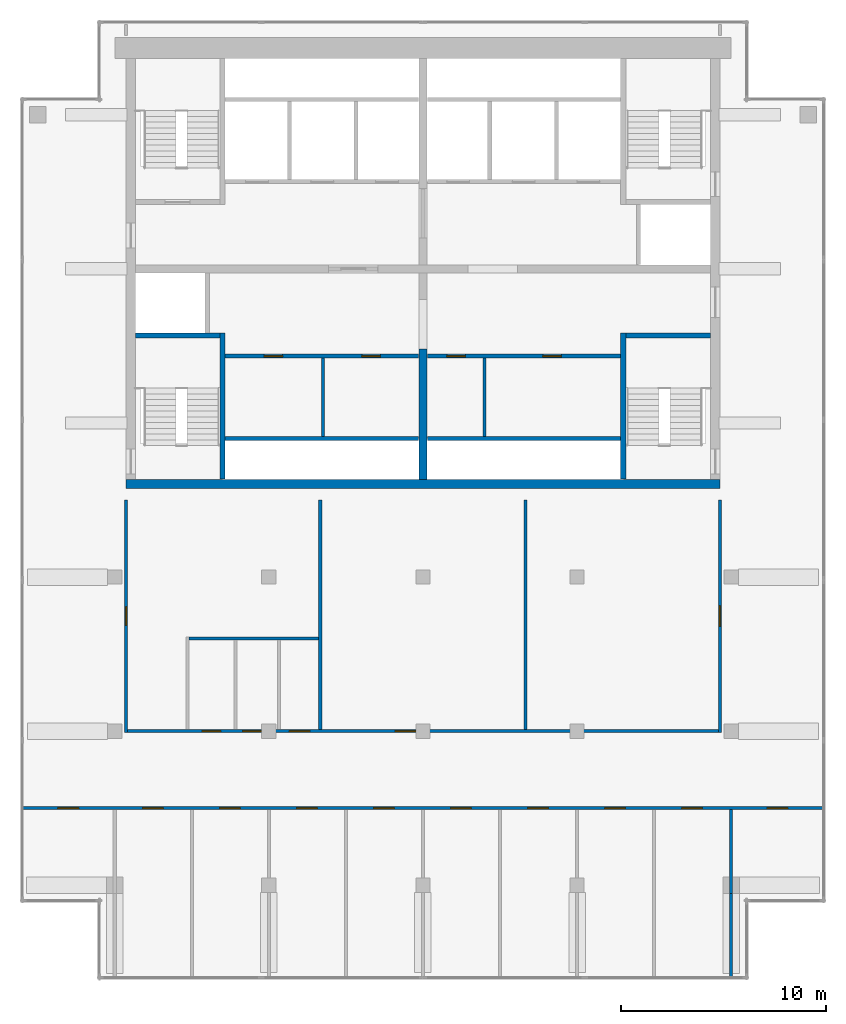
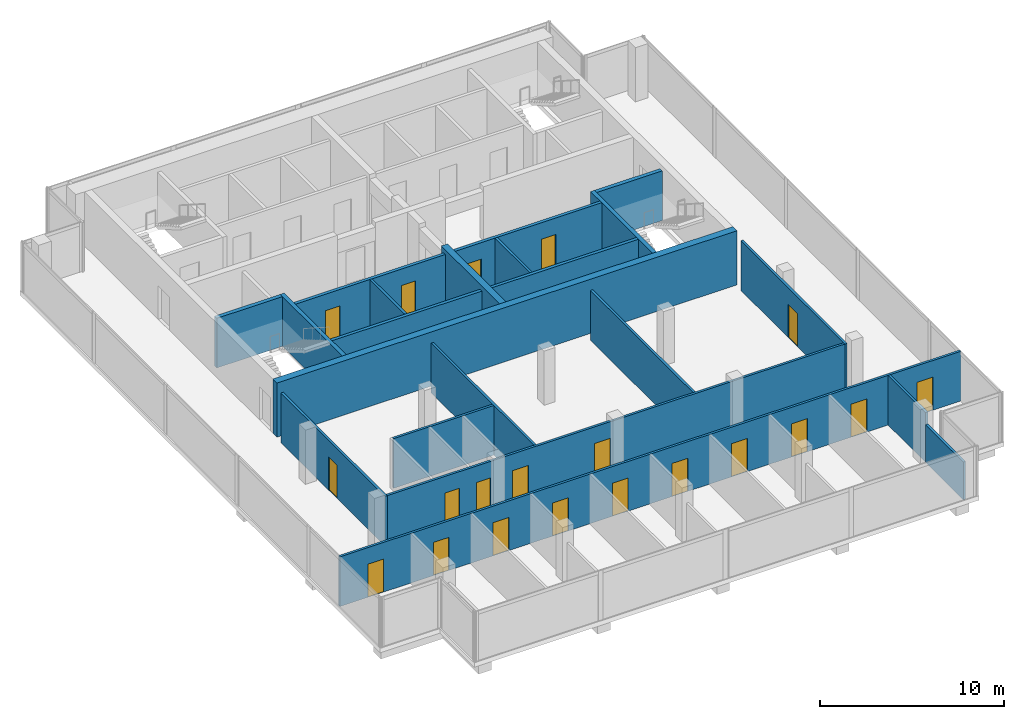
# One storey, part 5 of 8: 21 walls, 20 doors, 20 openings.
"""IFC4 building model written with IfcOpenShell, lengths in metres."""

from ifc_helpers import new_model, si_unit, direction, frame, frame_2d, origin, place, context, subcontext, project, spatial, rectangle, extrude, material, layer, layer_set, type_object, element, fill, save


model = new_model("IFC4")

# Units and contexts
model_context = context("Model", 3, precision=1e-05, world=origin(), true_north=direction((0.0, 1.0)))
body_context = subcontext(model_context, "Body", "Model", "MODEL_VIEW")
ifc_project = project(units=[si_unit("LENGTHUNIT", "METRE"), si_unit("AREAUNIT", "SQUARE_METRE"), si_unit("VOLUMEUNIT", "CUBIC_METRE"), si_unit("PLANEANGLEUNIT", "RADIAN"), si_unit("MASSUNIT", "GRAM", prefix="KILO")], contexts=[model_context])

# Site, building, storey
site_placement = place(None, origin())
site = spatial("IfcSite", under=ifc_project, at=site_placement, CompositionType="ELEMENT")
building_placement = place(site_placement, origin())
building = spatial("IfcBuilding", under=site, at=building_placement, Name="Pilkhan Gate Tower", CompositionType="ELEMENT")
storey_placement = place(building_placement, frame((0.0, 0.0, 269.300048828125)))
storey = spatial("IfcBuildingStorey", under=building, at=storey_placement, Name="L70", CompositionType="ELEMENT", Elevation=269.300048828125)

# Walls
ifc_material_1 = material(Name="Concrete C50/60", Category="concrete")
ifc_layer_1 = layer(ifc_material_1, 0.449951171875)
ifc_layer_set_1 = layer_set([ifc_layer_1], Name="Core wall CW450 C50/60")
wall_type_1 = type_object("IfcWallType", Name="Core wall CW450 C50/60", PredefinedType="SHEAR", material=ifc_layer_set_1)
wall_1_placement = place(storey_placement, frame((60.550048828125, 72.02490234375, 0.0), z_axis=(0.0, 0.0, 1.0), x_axis=(1.0, 0.0, 0.0)))
element("IfcWall", 1, at=wall_1_placement, inside=storey, type_object=wall_type_1, Name="Core wall S L70", PredefinedType="SHEAR", context=body_context, shape_type="SweptSolid", body=[
    extrude(rectangle(XDim=28.89990234375, YDim=0.449951171875, at=frame_2d((14.449951171875, 0.0))), origin(), (0.0, 0.0, 1.0), 3.599853515625),
])
ifc_material_2 = material(Name="Dense blockwork", Category="masonry")
ifc_layer_2 = layer(ifc_material_2, 0.199951171875)
ifc_layer_set_2 = layer_set([ifc_layer_2], Name="Lobby wall LW200")
wall_type_2 = type_object("IfcWallType", Name="Lobby wall LW200", PredefinedType="PARTITIONING", material=ifc_layer_set_2)
for number, where, z_axis, x_axis, name in (
    (2, (65.375, 74.25, 0.0), (0.0, 0.0, 1.0), (1.0, 0.0, 0.0), "Partition L70"),
    (3, (75.2099609375, 74.25, 0.0), (0.0, 0.0, 1.0), (1.0, 0.0, 0.0), "Partition L70"),
):
    element("IfcWall", number, at=place(storey_placement, frame(where, z_axis=z_axis, x_axis=x_axis)), inside=storey, type_object=wall_type_2, Name=name, PredefinedType="PARTITIONING", context=body_context, shape_type="SweptSolid", body=[
        extrude(rectangle(XDim=9.4150390625, YDim=0.199951171875, at=frame_2d((4.70751953125, 0.0))), origin(), (0.0, 0.0, 1.0), 3.300048828125),
    ])

# Wall, openings, doors
wall_2_placement = place(storey_placement, frame((65.375, 78.25, 0.0), z_axis=(0.0, 0.0, 1.0), x_axis=(1.0, 0.0, 0.0)))
wall_2 = element("IfcWall", 4, at=wall_2_placement, inside=storey, type_object=wall_type_2, Name="Partition L70", PredefinedType="PARTITIONING", context=body_context, shape_type="SweptSolid", body=[
    extrude(rectangle(XDim=9.4150390625, YDim=0.199951171875, at=frame_2d((4.70751953125, 0.0))), origin(), (0.0, 0.0, 1.0), 3.300048828125),
])
opening_1_placement = place(wall_2_placement, frame((1.89990234375, 0.0, 0.0)))
opening_1 = element("IfcOpeningElement", 5, at=opening_1_placement, cuts=wall_2, Name="Opening L70-08", PredefinedType="OPENING", context=body_context, shape_type="SweptSolid", body=[
    extrude(rectangle(XDim=0.89990234375, YDim=2.199951171875, at=frame_2d((0.449951171875, 1.10009765625))), frame((0.0, 0.10986328125, 0.0), z_axis=(0.0, -1.0, 0.0), x_axis=(1.0, 0.0, 0.0)), (0.0, 0.0, 1.0), 0.219970703125),
])
opening_2_placement = place(wall_2_placement, frame((6.64990234375, 0.0, 0.0)))
opening_2 = element("IfcOpeningElement", 6, at=opening_2_placement, cuts=wall_2, Name="Opening L70-09", PredefinedType="OPENING", context=body_context, shape_type="SweptSolid", body=[
    extrude(rectangle(XDim=0.89990234375, YDim=2.199951171875, at=frame_2d((0.449951171875, 1.10009765625))), frame((0.0, 0.10986328125, 0.0), z_axis=(0.0, -1.0, 0.0), x_axis=(1.0, 0.0, 0.0)), (0.0, 0.0, 1.0), 0.219970703125),
])
ifc_material_3 = material(Name="Timber flush door, 60 minute fire resisting, self-closing", Category="wood")
door_type_1 = type_object("IfcDoorType", Name="Store door D05 900x2200", OperationType="SINGLE_SWING_LEFT", PredefinedType="DOOR", material=ifc_material_3)
door_1_placement = place(opening_1_placement, origin())
door_1 = element("IfcDoor", 7, at=door_1_placement, inside=storey, type_object=door_type_1, Name="Store door", OperationType="SINGLE_SWING_LEFT", OverallHeight=2.199951171875, OverallWidth=0.89990234375, PredefinedType="DOOR", context=body_context, shape_type="SweptSolid", body=[
    extrude(rectangle(XDim=0.89990234375, YDim=2.199951171875, at=frame_2d((0.449951171875, 1.10009765625))), frame((0.0, 0.02490234375, 0.0), z_axis=(0.0, -1.0, 0.0), x_axis=(1.0, 0.0, 0.0)), (0.0, 0.0, 1.0), 0.050048828125),
])
fill(opening_1, door_1)
door_2_placement = place(opening_2_placement, origin())
door_2 = element("IfcDoor", 8, at=door_2_placement, inside=storey, type_object=door_type_1, Name="Store door", OperationType="SINGLE_SWING_LEFT", OverallHeight=2.199951171875, OverallWidth=0.89990234375, PredefinedType="DOOR", context=body_context, shape_type="SweptSolid", body=[
    extrude(rectangle(XDim=0.89990234375, YDim=2.199951171875, at=frame_2d((0.449951171875, 1.10009765625))), frame((0.0, 0.02490234375, 0.0), z_axis=(0.0, -1.0, 0.0), x_axis=(1.0, 0.0, 0.0)), (0.0, 0.0, 1.0), 0.050048828125),
])
fill(opening_2, door_2)

wall_3_placement = place(storey_placement, frame((75.2099609375, 78.25, 0.0), z_axis=(0.0, 0.0, 1.0), x_axis=(1.0, 0.0, 0.0)))
wall_3 = element("IfcWall", 9, at=wall_3_placement, inside=storey, type_object=wall_type_2, Name="Partition L70", PredefinedType="PARTITIONING", context=body_context, shape_type="SweptSolid", body=[
    extrude(rectangle(XDim=9.4150390625, YDim=0.199951171875, at=frame_2d((4.70751953125, 0.0))), origin(), (0.0, 0.0, 1.0), 3.300048828125),
])
opening_3_placement = place(wall_3_placement, frame((0.949951171875, 0.0, 0.0)))
opening_3 = element("IfcOpeningElement", 10, at=opening_3_placement, cuts=wall_3, Name="Opening L70-10", PredefinedType="OPENING", context=body_context, shape_type="SweptSolid", body=[
    extrude(rectangle(XDim=0.89990234375, YDim=2.199951171875, at=frame_2d((0.449951171875, 1.10009765625))), frame((0.0, 0.10986328125, 0.0), z_axis=(0.0, -1.0, 0.0), x_axis=(1.0, 0.0, 0.0)), (0.0, 0.0, 1.0), 0.219970703125),
])
opening_4_placement = place(wall_3_placement, frame((5.6298828125, 0.0, 0.0)))
opening_4 = element("IfcOpeningElement", 11, at=opening_4_placement, cuts=wall_3, Name="Opening L70-11", PredefinedType="OPENING", context=body_context, shape_type="SweptSolid", body=[
    extrude(rectangle(XDim=0.89990234375, YDim=2.199951171875, at=frame_2d((0.449951171875, 1.10009765625))), frame((0.0, 0.10986328125, 0.0), z_axis=(0.0, -1.0, 0.0), x_axis=(1.0, 0.0, 0.0)), (0.0, 0.0, 1.0), 0.219970703125),
])
door_3_placement = place(opening_3_placement, origin())
door_3 = element("IfcDoor", 12, at=door_3_placement, inside=storey, type_object=door_type_1, Name="Store door", OperationType="SINGLE_SWING_LEFT", OverallHeight=2.199951171875, OverallWidth=0.89990234375, PredefinedType="DOOR", context=body_context, shape_type="SweptSolid", body=[
    extrude(rectangle(XDim=0.89990234375, YDim=2.199951171875, at=frame_2d((0.449951171875, 1.10009765625))), frame((0.0, 0.02490234375, 0.0), z_axis=(0.0, -1.0, 0.0), x_axis=(1.0, 0.0, 0.0)), (0.0, 0.0, 1.0), 0.050048828125),
])
fill(opening_3, door_3)
door_4_placement = place(opening_4_placement, origin())
door_4 = element("IfcDoor", 13, at=door_4_placement, inside=storey, type_object=door_type_1, Name="Store door", OperationType="SINGLE_SWING_LEFT", OverallHeight=2.199951171875, OverallWidth=0.89990234375, PredefinedType="DOOR", context=body_context, shape_type="SweptSolid", body=[
    extrude(rectangle(XDim=0.89990234375, YDim=2.199951171875, at=frame_2d((0.449951171875, 1.10009765625))), frame((0.0, 0.02490234375, 0.0), z_axis=(0.0, -1.0, 0.0), x_axis=(1.0, 0.0, 0.0)), (0.0, 0.0, 1.0), 0.050048828125),
])
fill(opening_4, door_4)

ifc_material_4 = material(Name="Blockwork partition, plastered both sides", Category="masonry")
ifc_layer_3 = layer(ifc_material_4, 0.14990234375)
ifc_layer_set_3 = layer_set([ifc_layer_3], Name="Partition PW150")
wall_type_3 = type_object("IfcWallType", Name="Partition PW150", PredefinedType="PARTITIONING", material=ifc_layer_set_3)
wall_4_placement = place(storey_placement, frame((55.485107421875, 56.25, 0.0), z_axis=(0.0, 0.0, 1.0), x_axis=(1.0, 0.0, 0.0)))
wall_4 = element("IfcWall", 14, at=wall_4_placement, inside=storey, type_object=wall_type_3, Name="Partition L70", PredefinedType="PARTITIONING", context=body_context, shape_type="SweptSolid", body=[
    extrude(rectangle(XDim=39.02978515625, YDim=0.14990234375, at=frame_2d((19.514892578125, 0.0))), origin(), (0.0, 0.0, 1.0), 3.300048828125),
])
opening_5_placement = place(wall_4_placement, frame((1.75, 0.0, 0.0)))
opening_5 = element("IfcOpeningElement", 15, at=opening_5_placement, cuts=wall_4, Name="Opening L70-18", PredefinedType="OPENING", context=body_context, shape_type="SweptSolid", body=[
    extrude(rectangle(XDim=1.0, YDim=2.199951171875, at=frame_2d((0.5, 1.10009765625))), frame((0.0, 0.0849609375, 0.0), z_axis=(0.0, -1.0, 0.0), x_axis=(1.0, 0.0, 0.0)), (0.0, 0.0, 1.0), 0.169921875),
])
opening_6_placement = place(wall_4_placement, frame((5.864990234375, 0.0, 0.0)))
opening_6 = element("IfcOpeningElement", 16, at=opening_6_placement, cuts=wall_4, Name="Opening L70-19", PredefinedType="OPENING", context=body_context, shape_type="SweptSolid", body=[
    extrude(rectangle(XDim=1.0, YDim=2.199951171875, at=frame_2d((0.5, 1.10009765625))), frame((0.0, 0.0849609375, 0.0), z_axis=(0.0, -1.0, 0.0), x_axis=(1.0, 0.0, 0.0)), (0.0, 0.0, 1.0), 0.169921875),
])
opening_7_placement = place(wall_4_placement, frame((9.614990234375, 0.0, 0.0)))
opening_7 = element("IfcOpeningElement", 17, at=opening_7_placement, cuts=wall_4, Name="Opening L70-20", PredefinedType="OPENING", context=body_context, shape_type="SweptSolid", body=[
    extrude(rectangle(XDim=1.0, YDim=2.199951171875, at=frame_2d((0.5, 1.10009765625))), frame((0.0, 0.0849609375, 0.0), z_axis=(0.0, -1.0, 0.0), x_axis=(1.0, 0.0, 0.0)), (0.0, 0.0, 1.0), 0.169921875),
])
opening_8_placement = place(wall_4_placement, frame((13.364990234375, 0.0, 0.0)))
opening_8 = element("IfcOpeningElement", 18, at=opening_8_placement, cuts=wall_4, Name="Opening L70-21", PredefinedType="OPENING", context=body_context, shape_type="SweptSolid", body=[
    extrude(rectangle(XDim=1.0, YDim=2.199951171875, at=frame_2d((0.5, 1.10009765625))), frame((0.0, 0.0849609375, 0.0), z_axis=(0.0, -1.0, 0.0), x_axis=(1.0, 0.0, 0.0)), (0.0, 0.0, 1.0), 0.169921875),
])
opening_9_placement = place(wall_4_placement, frame((17.114990234375, 0.0, 0.0)))
opening_9 = element("IfcOpeningElement", 19, at=opening_9_placement, cuts=wall_4, Name="Opening L70-22", PredefinedType="OPENING", context=body_context, shape_type="SweptSolid", body=[
    extrude(rectangle(XDim=1.0, YDim=2.199951171875, at=frame_2d((0.5, 1.10009765625))), frame((0.0, 0.0849609375, 0.0), z_axis=(0.0, -1.0, 0.0), x_axis=(1.0, 0.0, 0.0)), (0.0, 0.0, 1.0), 0.169921875),
])
opening_10_placement = place(wall_4_placement, frame((20.864990234375, 0.0, 0.0)))
opening_10 = element("IfcOpeningElement", 20, at=opening_10_placement, cuts=wall_4, Name="Opening L70-23", PredefinedType="OPENING", context=body_context, shape_type="SweptSolid", body=[
    extrude(rectangle(XDim=1.0, YDim=2.199951171875, at=frame_2d((0.5, 1.10009765625))), frame((0.0, 0.0849609375, 0.0), z_axis=(0.0, -1.0, 0.0), x_axis=(1.0, 0.0, 0.0)), (0.0, 0.0, 1.0), 0.169921875),
])
opening_11_placement = place(wall_4_placement, frame((24.614990234375, 0.0, 0.0)))
opening_11 = element("IfcOpeningElement", 21, at=opening_11_placement, cuts=wall_4, Name="Opening L70-24", PredefinedType="OPENING", context=body_context, shape_type="SweptSolid", body=[
    extrude(rectangle(XDim=1.0, YDim=2.199951171875, at=frame_2d((0.5, 1.10009765625))), frame((0.0, 0.0849609375, 0.0), z_axis=(0.0, -1.0, 0.0), x_axis=(1.0, 0.0, 0.0)), (0.0, 0.0, 1.0), 0.169921875),
])
opening_12_placement = place(wall_4_placement, frame((28.364990234375, 0.0, 0.0)))
opening_12 = element("IfcOpeningElement", 22, at=opening_12_placement, cuts=wall_4, Name="Opening L70-25", PredefinedType="OPENING", context=body_context, shape_type="SweptSolid", body=[
    extrude(rectangle(XDim=1.0, YDim=2.199951171875, at=frame_2d((0.5, 1.10009765625))), frame((0.0, 0.0849609375, 0.0), z_axis=(0.0, -1.0, 0.0), x_axis=(1.0, 0.0, 0.0)), (0.0, 0.0, 1.0), 0.169921875),
])
opening_13_placement = place(wall_4_placement, frame((32.114990234375, 0.0, 0.0)))
opening_13 = element("IfcOpeningElement", 23, at=opening_13_placement, cuts=wall_4, Name="Opening L70-26", PredefinedType="OPENING", context=body_context, shape_type="SweptSolid", body=[
    extrude(rectangle(XDim=1.0, YDim=2.199951171875, at=frame_2d((0.5, 1.10009765625))), frame((0.0, 0.0849609375, 0.0), z_axis=(0.0, -1.0, 0.0), x_axis=(1.0, 0.0, 0.0)), (0.0, 0.0, 1.0), 0.169921875),
])
opening_14_placement = place(wall_4_placement, frame((36.264892578125, 0.0, 0.0)))
opening_14 = element("IfcOpeningElement", 24, at=opening_14_placement, cuts=wall_4, Name="Opening L70-27", PredefinedType="OPENING", context=body_context, shape_type="SweptSolid", body=[
    extrude(rectangle(XDim=1.0, YDim=2.199951171875, at=frame_2d((0.5, 1.10009765625))), frame((0.0, 0.0849609375, 0.0), z_axis=(0.0, -1.0, 0.0), x_axis=(1.0, 0.0, 0.0)), (0.0, 0.0, 1.0), 0.169921875),
])
ifc_material_5 = material(Name="Timber flush door, 30 minute fire resisting", Category="wood")
door_type_2 = type_object("IfcDoorType", Name="Room door D03 1000x2200", OperationType="SINGLE_SWING_LEFT", PredefinedType="DOOR", material=ifc_material_5)
door_5_placement = place(opening_5_placement, origin())
door_5 = element("IfcDoor", 25, at=door_5_placement, inside=storey, type_object=door_type_2, Name="Room door", OperationType="SINGLE_SWING_LEFT", OverallHeight=2.199951171875, OverallWidth=1.0, PredefinedType="DOOR", context=body_context, shape_type="SweptSolid", body=[
    extrude(rectangle(XDim=1.0, YDim=2.199951171875, at=frame_2d((0.5, 1.10009765625))), frame((0.0, 0.02490234375, 0.0), z_axis=(0.0, -1.0, 0.0), x_axis=(1.0, 0.0, 0.0)), (0.0, 0.0, 1.0), 0.050048828125),
])
fill(opening_5, door_5)
door_6_placement = place(opening_6_placement, origin())
door_6 = element("IfcDoor", 26, at=door_6_placement, inside=storey, type_object=door_type_2, Name="Room door", OperationType="SINGLE_SWING_LEFT", OverallHeight=2.199951171875, OverallWidth=1.0, PredefinedType="DOOR", context=body_context, shape_type="SweptSolid", body=[
    extrude(rectangle(XDim=1.0, YDim=2.199951171875, at=frame_2d((0.5, 1.10009765625))), frame((0.0, 0.02490234375, 0.0), z_axis=(0.0, -1.0, 0.0), x_axis=(1.0, 0.0, 0.0)), (0.0, 0.0, 1.0), 0.050048828125),
])
fill(opening_6, door_6)
door_7_placement = place(opening_7_placement, origin())
door_7 = element("IfcDoor", 27, at=door_7_placement, inside=storey, type_object=door_type_2, Name="Room door", OperationType="SINGLE_SWING_RIGHT", OverallHeight=2.199951171875, OverallWidth=1.0, PredefinedType="DOOR", context=body_context, shape_type="SweptSolid", body=[
    extrude(rectangle(XDim=1.0, YDim=2.199951171875, at=frame_2d((0.5, 1.10009765625))), frame((0.0, 0.02490234375, 0.0), z_axis=(0.0, -1.0, 0.0), x_axis=(1.0, 0.0, 0.0)), (0.0, 0.0, 1.0), 0.050048828125),
])
fill(opening_7, door_7)
door_8_placement = place(opening_8_placement, origin())
door_8 = element("IfcDoor", 28, at=door_8_placement, inside=storey, type_object=door_type_2, Name="Room door", OperationType="SINGLE_SWING_LEFT", OverallHeight=2.199951171875, OverallWidth=1.0, PredefinedType="DOOR", context=body_context, shape_type="SweptSolid", body=[
    extrude(rectangle(XDim=1.0, YDim=2.199951171875, at=frame_2d((0.5, 1.10009765625))), frame((0.0, 0.02490234375, 0.0), z_axis=(0.0, -1.0, 0.0), x_axis=(1.0, 0.0, 0.0)), (0.0, 0.0, 1.0), 0.050048828125),
])
fill(opening_8, door_8)
door_9_placement = place(opening_9_placement, origin())
door_9 = element("IfcDoor", 29, at=door_9_placement, inside=storey, type_object=door_type_2, Name="Room door", OperationType="SINGLE_SWING_RIGHT", OverallHeight=2.199951171875, OverallWidth=1.0, PredefinedType="DOOR", context=body_context, shape_type="SweptSolid", body=[
    extrude(rectangle(XDim=1.0, YDim=2.199951171875, at=frame_2d((0.5, 1.10009765625))), frame((0.0, 0.02490234375, 0.0), z_axis=(0.0, -1.0, 0.0), x_axis=(1.0, 0.0, 0.0)), (0.0, 0.0, 1.0), 0.050048828125),
])
fill(opening_9, door_9)
door_10_placement = place(opening_10_placement, origin())
door_10 = element("IfcDoor", 30, at=door_10_placement, inside=storey, type_object=door_type_2, Name="Room door", OperationType="SINGLE_SWING_RIGHT", OverallHeight=2.199951171875, OverallWidth=1.0, PredefinedType="DOOR", context=body_context, shape_type="SweptSolid", body=[
    extrude(rectangle(XDim=1.0, YDim=2.199951171875, at=frame_2d((0.5, 1.10009765625))), frame((0.0, 0.02490234375, 0.0), z_axis=(0.0, -1.0, 0.0), x_axis=(1.0, 0.0, 0.0)), (0.0, 0.0, 1.0), 0.050048828125),
])
fill(opening_10, door_10)
door_11_placement = place(opening_11_placement, origin())
door_11 = element("IfcDoor", 31, at=door_11_placement, inside=storey, type_object=door_type_2, Name="Room door", OperationType="SINGLE_SWING_LEFT", OverallHeight=2.199951171875, OverallWidth=1.0, PredefinedType="DOOR", context=body_context, shape_type="SweptSolid", body=[
    extrude(rectangle(XDim=1.0, YDim=2.199951171875, at=frame_2d((0.5, 1.10009765625))), frame((0.0, 0.02490234375, 0.0), z_axis=(0.0, -1.0, 0.0), x_axis=(1.0, 0.0, 0.0)), (0.0, 0.0, 1.0), 0.050048828125),
])
fill(opening_11, door_11)
door_12_placement = place(opening_12_placement, origin())
door_12 = element("IfcDoor", 32, at=door_12_placement, inside=storey, type_object=door_type_2, Name="Room door", OperationType="SINGLE_SWING_LEFT", OverallHeight=2.199951171875, OverallWidth=1.0, PredefinedType="DOOR", context=body_context, shape_type="SweptSolid", body=[
    extrude(rectangle(XDim=1.0, YDim=2.199951171875, at=frame_2d((0.5, 1.10009765625))), frame((0.0, 0.02490234375, 0.0), z_axis=(0.0, -1.0, 0.0), x_axis=(1.0, 0.0, 0.0)), (0.0, 0.0, 1.0), 0.050048828125),
])
fill(opening_12, door_12)
door_13_placement = place(opening_13_placement, origin())
door_13 = element("IfcDoor", 33, at=door_13_placement, inside=storey, type_object=door_type_2, Name="Room door", OperationType="SINGLE_SWING_RIGHT", OverallHeight=2.199951171875, OverallWidth=1.0, PredefinedType="DOOR", context=body_context, shape_type="SweptSolid", body=[
    extrude(rectangle(XDim=1.0, YDim=2.199951171875, at=frame_2d((0.5, 1.10009765625))), frame((0.0, 0.02490234375, 0.0), z_axis=(0.0, -1.0, 0.0), x_axis=(1.0, 0.0, 0.0)), (0.0, 0.0, 1.0), 0.050048828125),
])
fill(opening_13, door_13)
door_14_placement = place(opening_14_placement, origin())
door_14 = element("IfcDoor", 34, at=door_14_placement, inside=storey, type_object=door_type_2, Name="Room door", OperationType="SINGLE_SWING_RIGHT", OverallHeight=2.199951171875, OverallWidth=1.0, PredefinedType="DOOR", context=body_context, shape_type="SweptSolid", body=[
    extrude(rectangle(XDim=1.0, YDim=2.199951171875, at=frame_2d((0.5, 1.10009765625))), frame((0.0, 0.02490234375, 0.0), z_axis=(0.0, -1.0, 0.0), x_axis=(1.0, 0.0, 0.0)), (0.0, 0.0, 1.0), 0.050048828125),
])
fill(opening_14, door_14)

wall_5_placement = place(storey_placement, frame((60.625, 60.0, 0.0), z_axis=(0.0, 0.0, 1.0), x_axis=(1.0, 0.0, 0.0)))
wall_5 = element("IfcWall", 35, at=wall_5_placement, inside=storey, type_object=wall_type_3, Name="Partition L70", PredefinedType="PARTITIONING", context=body_context, shape_type="SweptSolid", body=[
    extrude(rectangle(XDim=28.75, YDim=0.14990234375, at=frame_2d((14.375, 0.0))), origin(), (0.0, 0.0, 1.0), 3.300048828125),
])
opening_15_placement = place(wall_5_placement, frame((3.625, 0.0, 0.0)))
opening_15 = element("IfcOpeningElement", 36, at=opening_15_placement, cuts=wall_5, Name="Opening L70-12", PredefinedType="OPENING", context=body_context, shape_type="SweptSolid", body=[
    extrude(rectangle(XDim=0.89990234375, YDim=2.199951171875, at=frame_2d((0.449951171875, 1.10009765625))), frame((0.0, 0.0849609375, 0.0), z_axis=(0.0, -1.0, 0.0), x_axis=(1.0, 0.0, 0.0)), (0.0, 0.0, 1.0), 0.169921875),
])
opening_16_placement = place(wall_5_placement, frame((5.596923828125, 0.0, 0.0)))
opening_16 = element("IfcOpeningElement", 37, at=opening_16_placement, cuts=wall_5, Name="Opening L70-13", PredefinedType="OPENING", context=body_context, shape_type="SweptSolid", body=[
    extrude(rectangle(XDim=0.89990234375, YDim=2.199951171875, at=frame_2d((0.449951171875, 1.10009765625))), frame((0.0, 0.0849609375, 0.0), z_axis=(0.0, -1.0, 0.0), x_axis=(1.0, 0.0, 0.0)), (0.0, 0.0, 1.0), 0.169921875),
])
opening_17_placement = place(wall_5_placement, frame((7.875, 0.0, 0.0)))
opening_17 = element("IfcOpeningElement", 38, at=opening_17_placement, cuts=wall_5, Name="Opening L70-14", PredefinedType="OPENING", context=body_context, shape_type="SweptSolid", body=[
    extrude(rectangle(XDim=1.0, YDim=2.199951171875, at=frame_2d((0.5, 1.10009765625))), frame((0.0, 0.0849609375, 0.0), z_axis=(0.0, -1.0, 0.0), x_axis=(1.0, 0.0, 0.0)), (0.0, 0.0, 1.0), 0.169921875),
])
opening_18_placement = place(wall_5_placement, frame((13.02490234375, 0.0, 0.0)))
opening_18 = element("IfcOpeningElement", 39, at=opening_18_placement, cuts=wall_5, Name="Opening L70-16", PredefinedType="OPENING", context=body_context, shape_type="SweptSolid", body=[
    extrude(rectangle(XDim=1.0, YDim=2.199951171875, at=frame_2d((0.5, 1.10009765625))), frame((0.0, 0.0849609375, 0.0), z_axis=(0.0, -1.0, 0.0), x_axis=(1.0, 0.0, 0.0)), (0.0, 0.0, 1.0), 0.169921875),
])
ifc_material_6 = material(Name="Timber flush door, outward opening, 30 minute fire resisting", Category="wood")
door_type_3 = type_object("IfcDoorType", Name="Accessible toilet door D07 1000x2200", OperationType="SINGLE_SWING_LEFT", PredefinedType="DOOR", material=ifc_material_6)
door_15_placement = place(opening_17_placement, origin())
door_15 = element("IfcDoor", 40, at=door_15_placement, inside=storey, type_object=door_type_3, Name="Accessible toilet door", OperationType="SINGLE_SWING_LEFT", OverallHeight=2.199951171875, OverallWidth=1.0, PredefinedType="DOOR", context=body_context, shape_type="SweptSolid", body=[
    extrude(rectangle(XDim=1.0, YDim=2.199951171875, at=frame_2d((0.5, 1.10009765625))), frame((0.0, 0.02490234375, 0.0), z_axis=(0.0, -1.0, 0.0), x_axis=(1.0, 0.0, 0.0)), (0.0, 0.0, 1.0), 0.050048828125),
])
fill(opening_17, door_15)
door_16_placement = place(opening_18_placement, origin())
door_16 = element("IfcDoor", 41, at=door_16_placement, inside=storey, type_object=door_type_2, Name="Room door", OperationType="SINGLE_SWING_RIGHT", OverallHeight=2.199951171875, OverallWidth=1.0, PredefinedType="DOOR", context=body_context, shape_type="SweptSolid", body=[
    extrude(rectangle(XDim=1.0, YDim=2.199951171875, at=frame_2d((0.5, 1.10009765625))), frame((0.0, 0.02490234375, 0.0), z_axis=(0.0, -1.0, 0.0), x_axis=(1.0, 0.0, 0.0)), (0.0, 0.0, 1.0), 0.050048828125),
])
fill(opening_18, door_16)
door_type_4 = type_object("IfcDoorType", Name="Toilet door D06 900x2200", OperationType="SINGLE_SWING_LEFT", PredefinedType="DOOR", material=ifc_material_5)
door_17_placement = place(opening_15_placement, origin())
door_17 = element("IfcDoor", 42, at=door_17_placement, inside=storey, type_object=door_type_4, Name="Toilet door", OperationType="SINGLE_SWING_RIGHT", OverallHeight=2.199951171875, OverallWidth=0.89990234375, PredefinedType="DOOR", context=body_context, shape_type="SweptSolid", body=[
    extrude(rectangle(XDim=0.89990234375, YDim=2.199951171875, at=frame_2d((0.449951171875, 1.10009765625))), frame((0.0, 0.02490234375, 0.0), z_axis=(0.0, -1.0, 0.0), x_axis=(1.0, 0.0, 0.0)), (0.0, 0.0, 1.0), 0.050048828125),
])
fill(opening_15, door_17)
door_18_placement = place(opening_16_placement, origin())
door_18 = element("IfcDoor", 43, at=door_18_placement, inside=storey, type_object=door_type_4, Name="Toilet door", OperationType="SINGLE_SWING_LEFT", OverallHeight=2.199951171875, OverallWidth=0.89990234375, PredefinedType="DOOR", context=body_context, shape_type="SweptSolid", body=[
    extrude(rectangle(XDim=0.89990234375, YDim=2.199951171875, at=frame_2d((0.449951171875, 1.10009765625))), frame((0.0, 0.02490234375, 0.0), z_axis=(0.0, -1.0, 0.0), x_axis=(1.0, 0.0, 0.0)), (0.0, 0.0, 1.0), 0.050048828125),
])
fill(opening_16, door_18)

# Wall
wall_6_placement = place(storey_placement, frame((63.625, 64.5, 0.0), z_axis=(0.0, 0.0, 1.0), x_axis=(1.0, 0.0, 0.0)))
element("IfcWall", 44, at=wall_6_placement, inside=storey, type_object=wall_type_3, Name="Partition L70", PredefinedType="PARTITIONING", context=body_context, shape_type="SweptSolid", body=[
    extrude(rectangle(XDim=6.300048828125, YDim=0.14990234375, at=frame_2d((3.14990234375, 0.0))), origin(), (0.0, 0.0, 1.0), 3.300048828125),
])

# Wall, opening, door
wall_7_placement = place(storey_placement, frame((60.550048828125, 59.925048828125, 0.0), z_axis=(0.0, 0.0, 1.0), x_axis=(0.0, 1.0, 0.0)))
wall_7 = element("IfcWall", 45, at=wall_7_placement, inside=storey, type_object=wall_type_3, Name="Partition L70", PredefinedType="PARTITIONING", context=body_context, shape_type="SweptSolid", body=[
    extrude(rectangle(XDim=11.324951171875, YDim=0.14990234375, at=frame_2d((5.66259765625, 0.0))), origin(), (0.0, 0.0, 1.0), 3.300048828125),
])
opening_19_placement = place(wall_7_placement, frame((5.22509765625, 0.0, 0.0)))
opening_19 = element("IfcOpeningElement", 46, at=opening_19_placement, cuts=wall_7, Name="Opening L70-15", PredefinedType="OPENING", context=body_context, shape_type="SweptSolid", body=[
    extrude(rectangle(XDim=0.89990234375, YDim=2.199951171875, at=frame_2d((0.449951171875, 1.10009765625))), frame((0.0, 0.0849609375, 0.0), z_axis=(0.0, -1.0, 0.0), x_axis=(1.0, 0.0, 0.0)), (0.0, 0.0, 1.0), 0.169921875),
])
door_19_placement = place(opening_19_placement, origin())
door_19 = element("IfcDoor", 47, at=door_19_placement, inside=storey, type_object=door_type_1, Name="Store door", OperationType="SINGLE_SWING_LEFT", OverallHeight=2.199951171875, OverallWidth=0.89990234375, PredefinedType="DOOR", context=body_context, shape_type="SweptSolid", body=[
    extrude(rectangle(XDim=0.89990234375, YDim=2.199951171875, at=frame_2d((0.449951171875, 1.10009765625))), frame((0.0, 0.02490234375, 0.0), z_axis=(0.0, -1.0, 0.0), x_axis=(1.0, 0.0, 0.0)), (0.0, 0.0, 1.0), 0.050048828125),
])
fill(opening_19, door_19)

# Walls
wall_8_placement = place(storey_placement, frame((70.0, 60.074951171875, 0.0), z_axis=(0.0, 0.0, 1.0), x_axis=(0.0, 1.0, 0.0)))
element("IfcWall", 48, at=wall_8_placement, inside=storey, type_object=wall_type_3, Name="Partition L70", PredefinedType="PARTITIONING", context=body_context, shape_type="SweptSolid", body=[
    extrude(rectangle(XDim=11.175048828125, YDim=0.14990234375, at=frame_2d((5.58740234375, 0.0))), origin(), (0.0, 0.0, 1.0), 3.300048828125),
])
for number, where, z_axis, x_axis, name in (
    (49, (70.125, 74.35009765625, 0.0), (0.0, 0.0, 1.0), (0.0, 1.0, 0.0), "Partition L70"),
    (50, (77.989990234375, 74.35009765625, 0.0), (0.0, 0.0, 1.0), (0.0, 1.0, 0.0), "Partition L70"),
):
    element("IfcWall", number, at=place(storey_placement, frame(where, z_axis=z_axis, x_axis=x_axis)), inside=storey, type_object=wall_type_3, Name=name, PredefinedType="PARTITIONING", context=body_context, shape_type="SweptSolid", body=[
        extrude(rectangle(XDim=3.7998046875, YDim=0.14990234375, at=frame_2d((1.89990234375, 0.0))), origin(), (0.0, 0.0, 1.0), 3.300048828125),
    ])
wall_9_placement = place(storey_placement, frame((80.0, 60.074951171875, 0.0), z_axis=(0.0, 0.0, 1.0), x_axis=(0.0, 1.0, 0.0)))
element("IfcWall", 51, at=wall_9_placement, inside=storey, type_object=wall_type_3, Name="Partition L70", PredefinedType="PARTITIONING", context=body_context, shape_type="SweptSolid", body=[
    extrude(rectangle(XDim=11.175048828125, YDim=0.14990234375, at=frame_2d((5.58740234375, 0.0))), origin(), (0.0, 0.0, 1.0), 3.300048828125),
])

# Wall, opening, door
wall_10_placement = place(storey_placement, frame((89.449951171875, 59.925048828125, 0.0), z_axis=(0.0, 0.0, 1.0), x_axis=(0.0, 1.0, 0.0)))
wall_10 = element("IfcWall", 52, at=wall_10_placement, inside=storey, type_object=wall_type_3, Name="Partition L70", PredefinedType="PARTITIONING", context=body_context, shape_type="SweptSolid", body=[
    extrude(rectangle(XDim=11.324951171875, YDim=0.14990234375, at=frame_2d((5.66259765625, 0.0))), origin(), (0.0, 0.0, 1.0), 3.300048828125),
])
opening_20_placement = place(wall_10_placement, frame((5.175048828125, 0.0, 0.0)))
opening_20 = element("IfcOpeningElement", 53, at=opening_20_placement, cuts=wall_10, Name="Opening L70-17", PredefinedType="OPENING", context=body_context, shape_type="SweptSolid", body=[
    extrude(rectangle(XDim=1.0, YDim=2.199951171875, at=frame_2d((0.5, 1.10009765625))), frame((0.0, 0.0849609375, 0.0), z_axis=(0.0, -1.0, 0.0), x_axis=(1.0, 0.0, 0.0)), (0.0, 0.0, 1.0), 0.169921875),
])
door_20_placement = place(opening_20_placement, origin())
door_20 = element("IfcDoor", 54, at=door_20_placement, inside=storey, type_object=door_type_2, Name="Room door", OperationType="SINGLE_SWING_LEFT", OverallHeight=2.199951171875, OverallWidth=1.0, PredefinedType="DOOR", context=body_context, shape_type="SweptSolid", body=[
    extrude(rectangle(XDim=1.0, YDim=2.199951171875, at=frame_2d((0.5, 1.10009765625))), frame((0.0, 0.02490234375, 0.0), z_axis=(0.0, -1.0, 0.0), x_axis=(1.0, 0.0, 0.0)), (0.0, 0.0, 1.0), 0.050048828125),
])
fill(opening_20, door_20)

# Walls
wall_11_placement = place(storey_placement, frame((90.0, 47.985107421875, 0.0), z_axis=(0.0, 0.0, 1.0), x_axis=(0.0, 1.0, 0.0)))
element("IfcWall", 55, at=wall_11_placement, inside=storey, type_object=wall_type_3, Name="Partition L70", PredefinedType="PARTITIONING", context=body_context, shape_type="SweptSolid", body=[
    extrude(rectangle(XDim=4.115966796875, YDim=0.14990234375, at=frame_2d((2.05810546875, 0.0))), origin(), (0.0, 0.0, 1.0), 2.5),
])
wall_12_placement = place(storey_placement, frame((90.0, 52.10107421875, 0.0), z_axis=(0.0, 0.0, 1.0), x_axis=(0.0, 1.0, 0.0)))
element("IfcWall", 56, at=wall_12_placement, inside=storey, type_object=wall_type_3, Name="Partition L70", PredefinedType="PARTITIONING", context=body_context, shape_type="SweptSolid", body=[
    extrude(rectangle(XDim=4.073974609375, YDim=0.14990234375, at=frame_2d((2.037109375, 0.0))), origin(), (0.0, 0.0, 1.0), 3.300048828125),
])
ifc_layer_4 = layer(ifc_material_1, 0.39990234375)
ifc_layer_set_4 = layer_set([ifc_layer_4], Name="Spine wall SW400 C50/60")
wall_type_4 = type_object("IfcWallType", Name="Spine wall SW400 C50/60", PredefinedType="SHEAR", material=ifc_layer_set_4)
wall_13_placement = place(storey_placement, frame((75.0, 72.25, 0.0), z_axis=(0.0, 0.0, 1.0), x_axis=(0.0, 1.0, 0.0)))
element("IfcWall", 57, at=wall_13_placement, inside=storey, type_object=wall_type_4, Name="Spine wall SP-NS-S1 L70", PredefinedType="SHEAR", context=body_context, shape_type="SweptSolid", body=[
    extrude(rectangle(XDim=6.35009765625, YDim=0.39990234375, at=frame_2d((3.175048828125, 0.0))), origin(), (0.0, 0.0, 1.0), 3.599853515625),
])
ifc_material_7 = material(Name="Reinforced blockwork, 120 minute fire resisting", Category="masonry")
ifc_layer_5 = layer(ifc_material_7, 0.25)
ifc_layer_set_5 = layer_set([ifc_layer_5], Name="Stair enclosure wall SE250")
wall_type_5 = type_object("IfcWallType", Name="Stair enclosure wall SE250", PredefinedType="PARTITIONING", material=ifc_layer_set_5)
wall_14_placement = place(storey_placement, frame((61.0, 79.25, 0.0), z_axis=(0.0, 0.0, 1.0), x_axis=(1.0, 0.0, 0.0)))
element("IfcWall", 58, at=wall_14_placement, inside=storey, type_object=wall_type_5, Name="Partition L70", PredefinedType="PARTITIONING", context=body_context, shape_type="SweptSolid", body=[
    extrude(rectangle(XDim=4.125, YDim=0.25, at=frame_2d((2.0625, 0.0))), origin(), (0.0, 0.0, 1.0), 3.300048828125),
])
wall_15_placement = place(storey_placement, frame((84.875, 79.25, 0.0), z_axis=(0.0, 0.0, 1.0), x_axis=(1.0, 0.0, 0.0)))
element("IfcWall", 59, at=wall_15_placement, inside=storey, type_object=wall_type_5, Name="Partition L70", PredefinedType="PARTITIONING", context=body_context, shape_type="SweptSolid", body=[
    extrude(rectangle(XDim=4.114990234375, YDim=0.25, at=frame_2d((2.0576171875, 0.0))), origin(), (0.0, 0.0, 1.0), 3.300048828125),
])
for number, where, z_axis, x_axis, name in (
    (60, (65.25, 72.260009765625, 0.0), (0.0, 0.0, 1.0), (0.0, 1.0, 0.0), "Partition L70"),
    (61, (84.75, 72.260009765625, 0.0), (0.0, 0.0, 1.0), (0.0, 1.0, 0.0), "Partition L70"),
):
    element("IfcWall", number, at=place(storey_placement, frame(where, z_axis=z_axis, x_axis=x_axis)), inside=storey, type_object=wall_type_5, Name=name, PredefinedType="PARTITIONING", context=body_context, shape_type="SweptSolid", body=[
        extrude(rectangle(XDim=7.114990234375, YDim=0.25, at=frame_2d((3.5576171875, 0.0))), origin(), (0.0, 0.0, 1.0), 3.300048828125),
    ])

save(model, "model.ifc")
